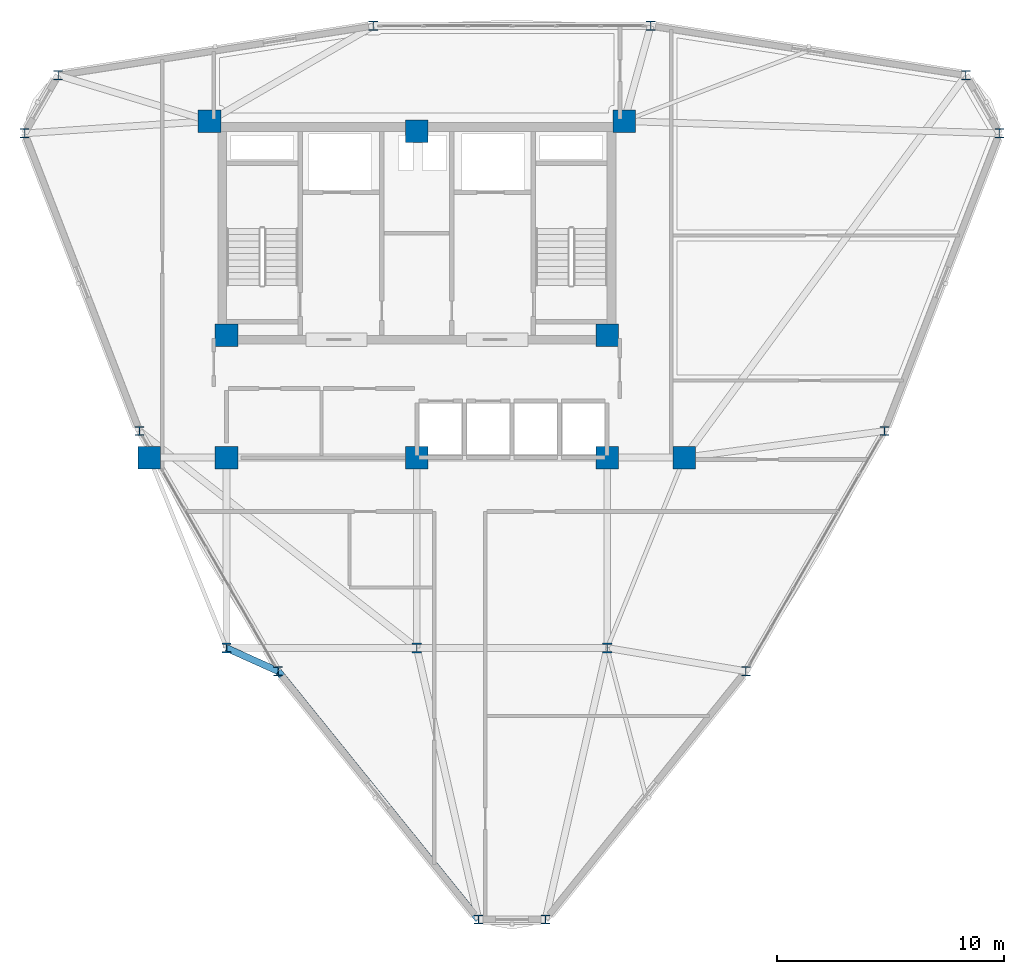
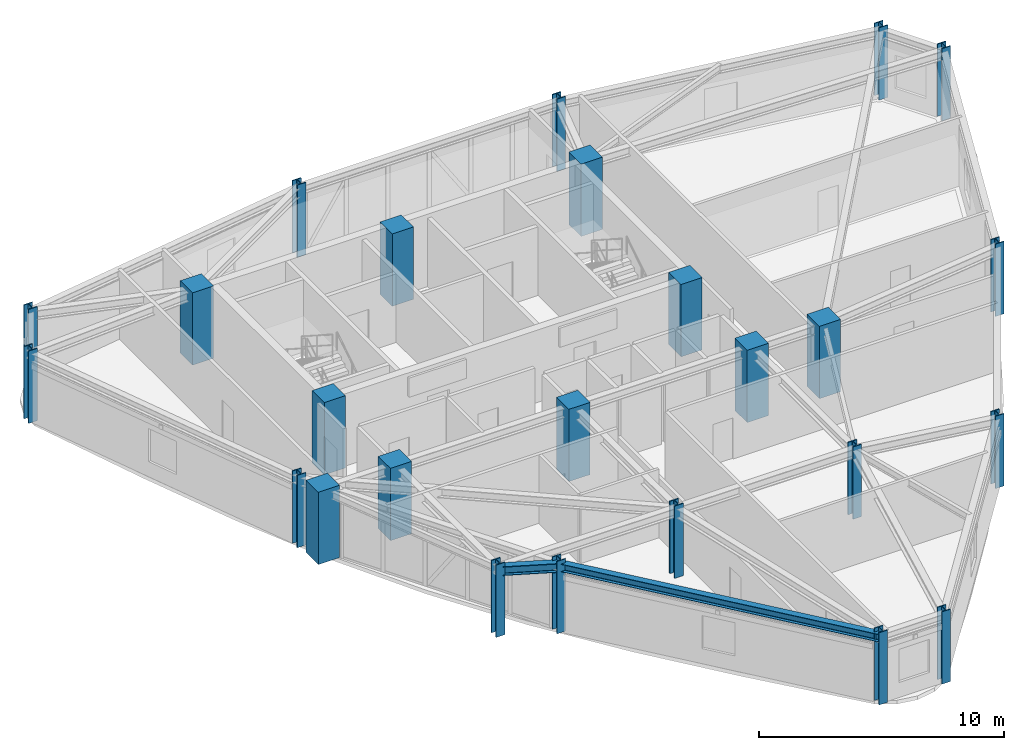
# One storey, part 1 of 16: 25 columns, 2 beams.
"""IFC4 building model written with IfcOpenShell, lengths in metres."""

from ifc_helpers import new_model, si_unit, derived_unit, direction, frame, origin, origin_2d, place, context, subcontext, project, spatial, rectangle, i_section, extrude, source, transform, mapped, material, material_profile, profile_set, type_object, element, save


model = new_model("IFC4")

# Units and contexts
model_context = context("Model", 3, precision=1e-05, world=origin(), true_north=direction((0.0, 1.0)))
body_context = subcontext(model_context, "Body", "Model", "MODEL_VIEW")
ifc_project = project(units=[si_unit("LENGTHUNIT", "METRE"), si_unit("AREAUNIT", "SQUARE_METRE"), si_unit("VOLUMEUNIT", "CUBIC_METRE"), si_unit("PLANEANGLEUNIT", "RADIAN"), si_unit("MASSUNIT", "GRAM", prefix="KILO"), derived_unit("THERMALTRANSMITTANCEUNIT", [(si_unit("POWERUNIT", "WATT"), 1), (si_unit("LENGTHUNIT", "METRE"), -2), (si_unit("THERMODYNAMICTEMPERATUREUNIT", "KELVIN"), -1)])], contexts=[model_context])

# Site, building, storey
site_placement = place(None, origin())
site = spatial("IfcSite", under=ifc_project, at=site_placement, CompositionType="ELEMENT")
building_placement = place(site_placement, origin())
building = spatial("IfcBuilding", under=site, at=building_placement, Name="Korsvarv Bourse and Concert Hall", CompositionType="ELEMENT")
storey_placement = place(building_placement, frame((0.0, 0.0, 220.199951171875)))
storey = spatial("IfcBuildingStorey", under=building, at=storey_placement, Name="L57", CompositionType="ELEMENT", Elevation=220.199951171875)

# Columns
ifc_material_1 = material(Name="Steel S355", Category="steel")
ifc_material_profile_1 = material_profile(ifc_material_1, i_section(OverallWidth=0.412109375, OverallDepth=0.43505859375, WebThickness=0.032958984375, FlangeThickness=0.052978515625, FilletRadius=0.014892578125, at=origin_2d()), Name="HD 400x463")
ifc_profile_set_1 = profile_set([ifc_material_profile_1], Name="Steel S355")
column_type_1 = type_object("IfcColumnType", Name="COL-HD463", PredefinedType="COLUMN", material=ifc_profile_set_1)
shared_shape_1 = source(origin(), body_context, "Body", "SweptSolid", [
    extrude(i_section(OverallWidth=0.412109375, OverallDepth=0.43505859375, WebThickness=0.032958984375, FlangeThickness=0.052978515625, FilletRadius=0.014892578125, at=origin_2d()), origin(), (0.0, 0.0, 1.0), 3.60009765625),
])
for number, where, z_axis, x_axis, name in (
    (1, (27.60009765625, 24.0, 0.0), (0.0, 0.0, 1.0), (1.0, 0.0, 0.0), "L57 column C-09"),
    (2, (44.39990234375, 24.0, 0.0), (0.0, 0.0, 1.0), (1.0, 0.0, 0.0), "L57 column C-09"),
    (3, (36.0, 24.0, 0.0), (0.0, 0.0, 1.0), (1.0, 0.0, 0.0), "L57 column C-09"),
):
    element("IfcColumn", number, at=place(storey_placement, frame(where, z_axis=z_axis, x_axis=x_axis)), inside=storey, type_object=column_type_1, Name=name, PredefinedType="COLUMN", context=body_context, shape_type="MappedRepresentation", body=[
        mapped(shared_shape_1, transform((0.0, 0.0, 0.0), scale=1.0)),
    ])
ifc_material_2 = material(Name="Concrete C55/67", Category="concrete")
ifc_material_profile_2 = material_profile(ifc_material_2, rectangle(XDim=1.0, YDim=1.0, at=origin_2d()), Name="RC 1000x1000")
ifc_profile_set_2 = profile_set([ifc_material_profile_2], Name="Concrete C55/67")
column_type_2 = type_object("IfcColumnType", Name="COL-RC1000", PredefinedType="COLUMN", material=ifc_profile_set_2)
shared_shape_2 = source(origin(), body_context, "Body", "SweptSolid", [
    extrude(rectangle(XDim=1.0, YDim=1.0, at=origin_2d()), origin(), (0.0, 0.0, 1.0), 3.60009765625),
])
for number, where, z_axis, x_axis, name in (
    (4, (26.85009765625, 47.25, 0.0), (0.0, 0.0, 1.0), (1.0, 0.0, 0.0), "L57 column C-03"),
    (5, (45.14990234375, 47.25, 0.0), (0.0, 0.0, 1.0), (1.0, 0.0, 0.0), "L57 column C-03"),
    (6, (27.60009765625, 37.800048828125, 0.0), (0.0, 0.0, 1.0), (1.0, 0.0, 0.0), "L57 column C-03"),
    (7, (44.39990234375, 37.800048828125, 0.0), (0.0, 0.0, 1.0), (1.0, 0.0, 0.0), "L57 column C-03"),
    (8, (27.60009765625, 32.39990234375, 0.0), (0.0, 0.0, 1.0), (1.0, 0.0, 0.0), "L57 column C-03"),
    (9, (44.39990234375, 32.39990234375, 0.0), (0.0, 0.0, 1.0), (1.0, 0.0, 0.0), "L57 column C-03"),
    (10, (36.0, 46.800048828125, 0.0), (0.0, 0.0, 1.0), (1.0, 0.0, 0.0), "L57 column C-03"),
    (11, (36.0, 32.39990234375, 0.0), (0.0, 0.0, 1.0), (1.0, 0.0, 0.0), "L57 column C-03"),
    (12, (24.199951171875, 32.39990234375, 0.0), (0.0, 0.0, 1.0), (1.0, 0.0, 0.0), "L57 column C-03"),
    (13, (47.800048828125, 32.39990234375, 0.0), (0.0, 0.0, 1.0), (1.0, 0.0, 0.0), "L57 column C-03"),
):
    element("IfcColumn", number, at=place(storey_placement, frame(where, z_axis=z_axis, x_axis=x_axis)), inside=storey, type_object=column_type_2, Name=name, PredefinedType="COLUMN", context=body_context, shape_type="MappedRepresentation", body=[
        mapped(shared_shape_2, transform((0.0, 0.0, 0.0), scale=1.0)),
    ])
ifc_material_profile_3 = material_profile(ifc_material_1, i_section(OverallWidth=0.406005859375, OverallDepth=0.416015625, WebThickness=0.027099609375, FlangeThickness=0.0439453125, FilletRadius=0.014892578125, at=origin_2d()), Name="HD 400x382")
ifc_profile_set_3 = profile_set([ifc_material_profile_3], Name="Steel S355")
column_type_3 = type_object("IfcColumnType", Name="COL-HD382", PredefinedType="COLUMN", material=ifc_profile_set_3)
shared_shape_3 = source(origin(), body_context, "Body", "SweptSolid", [
    extrude(i_section(OverallWidth=0.406005859375, OverallDepth=0.416015625, WebThickness=0.027099609375, FlangeThickness=0.0439453125, FilletRadius=0.014892578125, at=origin_2d()), origin(), (0.0, 0.0, 1.0), 3.60009765625),
])
for number, where, z_axis, x_axis, name in (
    (14, (61.70703125, 46.70849609375, 0.0), (0.0, 0.0, 1.0), (1.0, 0.0, 0.0), "L57 column C-10"),
    (15, (60.227294921875, 49.271484375, 0.0), (0.0, 0.0, 1.0), (1.0, 0.0, 0.0), "L57 column C-10"),
    (16, (46.319091796875, 51.449951171875, 0.0), (0.0, 0.0, 1.0), (1.0, 0.0, 0.0), "L57 column C-10"),
    (17, (34.0810546875, 51.449951171875, 0.0), (0.0, 0.0, 1.0), (1.0, 0.0, 0.0), "L57 column C-10"),
    (18, (20.1728515625, 49.271484375, 0.0), (0.0, 0.0, 1.0), (1.0, 0.0, 0.0), "L57 column C-10"),
    (19, (18.69287109375, 46.70849609375, 0.0), (0.0, 0.0, 1.0), (1.0, 0.0, 0.0), "L57 column C-10"),
    (20, (23.760498046875, 33.57421875, 0.0), (0.0, 0.0, 1.0), (1.0, 0.0, 0.0), "L57 column C-10"),
    (21, (29.87939453125, 22.975830078125, 0.0), (0.0, 0.0, 1.0), (1.0, 0.0, 0.0), "L57 column C-10"),
    (22, (38.72021484375, 12.020263671875, 0.0), (0.0, 0.0, 1.0), (1.0, 0.0, 0.0), "L57 column C-10"),
    (23, (41.6796875, 12.020263671875, 0.0), (0.0, 0.0, 1.0), (1.0, 0.0, 0.0), "L57 column C-10"),
    (24, (50.5205078125, 22.975830078125, 0.0), (0.0, 0.0, 1.0), (1.0, 0.0, 0.0), "L57 column C-10"),
    (25, (56.639404296875, 33.57421875, 0.0), (0.0, 0.0, 1.0), (1.0, 0.0, 0.0), "L57 column C-10"),
):
    element("IfcColumn", number, at=place(storey_placement, frame(where, z_axis=z_axis, x_axis=x_axis)), inside=storey, type_object=column_type_3, Name=name, PredefinedType="COLUMN", context=body_context, shape_type="MappedRepresentation", body=[
        mapped(shared_shape_3, transform((0.0, 0.0, 0.0), scale=1.0)),
    ])

# Beams
ifc_material_profile_4 = material_profile(ifc_material_1, i_section(OverallWidth=0.300048828125, OverallDepth=0.389892578125, WebThickness=0.010986328125, FlangeThickness=0.01904296875, FilletRadius=0.02099609375, at=origin_2d()), Name="HEA 400")
ifc_profile_set_4 = profile_set([ifc_material_profile_4], Name="Steel S355")
beam_type_1 = type_object("IfcBeamType", Name="BM-HEA400", PredefinedType="BEAM", material=ifc_profile_set_4)
shared_shape_4 = source(origin(), body_context, "Body", "SweptSolid", [
    extrude(i_section(OverallWidth=0.300048828125, OverallDepth=0.389892578125, WebThickness=0.010986328125, FlangeThickness=0.01904296875, FilletRadius=0.02099609375, at=origin_2d()), origin(), (0.0, 0.0, 1.0), 14.077880859375),
])
beam_1_placement = place(storey_placement, frame((29.87939453125, 22.975830078125, 3.215087890625), z_axis=(0.627997157863, -0.778215631889, 0.0), x_axis=(0.778215631889, 0.627997157863, 0.0)))
element("IfcBeam", 26, at=beam_1_placement, inside=storey, type_object=beam_type_1, Name="L57 beam B-11", PredefinedType="BEAM", context=body_context, shape_type="MappedRepresentation", body=[
    mapped(shared_shape_4, transform((0.0, 0.0, 0.0), scale=1.0)),
])
ifc_material_profile_5 = material_profile(ifc_material_1, i_section(OverallWidth=0.300048828125, OverallDepth=0.449951171875, WebThickness=0.013916015625, FlangeThickness=0.02587890625, FilletRadius=0.02099609375, at=origin_2d()), Name="HEB 450")
ifc_profile_set_5 = profile_set([ifc_material_profile_5], Name="Steel S355")
beam_type_2 = type_object("IfcBeamType", Name="BM-HEB450", PredefinedType="SPANDREL", material=ifc_profile_set_5)
shared_shape_5 = source(origin(), body_context, "Body", "SweptSolid", [
    extrude(i_section(OverallWidth=0.300048828125, OverallDepth=0.449951171875, WebThickness=0.013916015625, FlangeThickness=0.02587890625, FilletRadius=0.02099609375, at=origin_2d()), origin(), (0.0, 0.0, 1.0), 2.498779296875),
])
beam_2_placement = place(storey_placement, frame((29.87939453125, 22.975830078125, 3.18505859375), z_axis=(-0.912148051472, 0.409860869315, 0.0), x_axis=(-0.409860869315, -0.912148051472, 0.0)))
element("IfcBeam", 27, at=beam_2_placement, inside=storey, type_object=beam_type_2, Name="L57 beam B-08", PredefinedType="SPANDREL", context=body_context, shape_type="MappedRepresentation", body=[
    mapped(shared_shape_5, transform((0.0, 0.0, 0.0), scale=1.0)),
])

save(model, "model.ifc")
